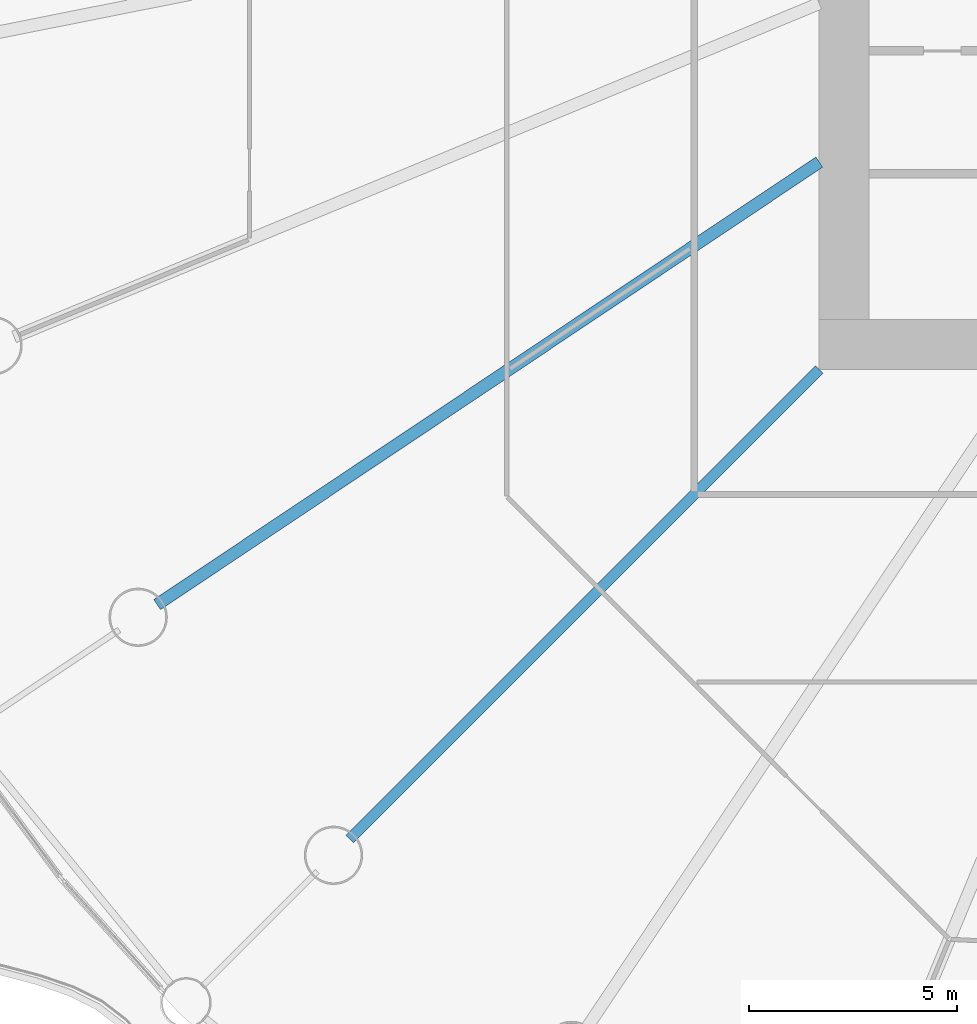
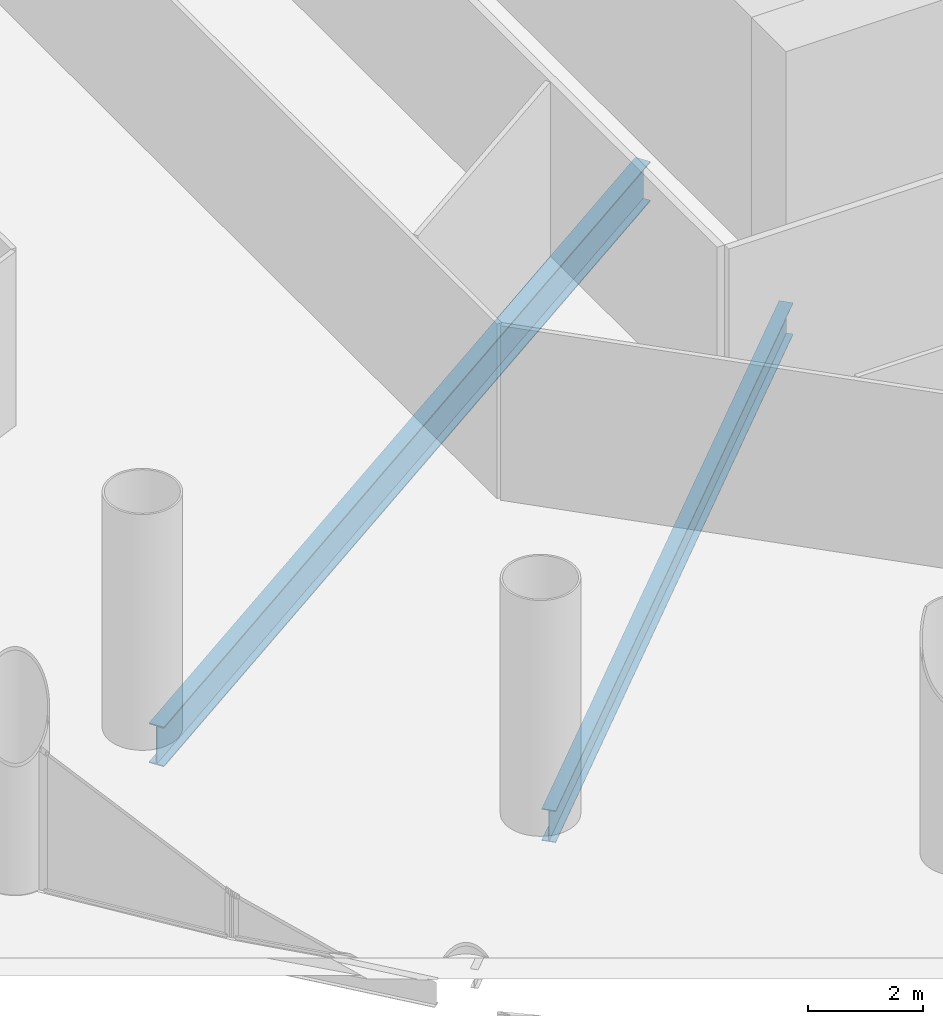
# One storey, part 4 of 35: 2 beams.
"""IFC4 building model written with IfcOpenShell, lengths in metres."""

from ifc_helpers import new_model, si_unit, direction, frame, origin, origin_2d, place, context, subcontext, project, spatial, i_section, extrude, material, material_profile, profile_set, type_object, element, save


model = new_model("IFC4")

# Units and contexts
model_context = context("Model", 3, precision=1e-05, world=origin(), true_north=direction((0.0, 1.0)))
body_context = subcontext(model_context, "Body", "Model", "MODEL_VIEW")
ifc_project = project(units=[si_unit("LENGTHUNIT", "METRE"), si_unit("AREAUNIT", "SQUARE_METRE"), si_unit("VOLUMEUNIT", "CUBIC_METRE"), si_unit("PLANEANGLEUNIT", "RADIAN"), si_unit("MASSUNIT", "GRAM", prefix="KILO")], contexts=[model_context])

# Site, building, storey
site_placement = place(None, origin())
site = spatial("IfcSite", under=ifc_project, at=site_placement, CompositionType="ELEMENT")
building_placement = place(site_placement, origin())
building = spatial("IfcBuilding", under=site, at=building_placement, Name="Corvane Civic Tower", CompositionType="ELEMENT")
storey_placement = place(building_placement, frame((0.0, 0.0, 27.0)))
storey = spatial("IfcBuildingStorey", under=building, at=storey_placement, Name="L05", CompositionType="ELEMENT", Elevation=27.0)

# Beams
ifc_material_1 = material(Name="Steel ASTM A992 Gr 50", Category="steel")
ifc_material_profile_1 = material_profile(ifc_material_1, i_section(OverallWidth=0.25390625, OverallDepth=0.67822265625, WebThickness=0.01171875, FlangeThickness=0.016357421875, at=origin_2d()), Name="W27X84")
ifc_profile_set_1 = profile_set([ifc_material_profile_1], Name="Steel ASTM A992 Gr 50")
beam_type_1 = type_object("IfcBeamType", Name="FLOOR GIRDER W27X84", PredefinedType="BEAM", material=ifc_profile_set_1)
beam_1_placement = place(storey_placement, frame((-15.0, -15.0, -0.63916015625), z_axis=(-0.707106781187, -0.707106781187, 0.0), x_axis=(0.707106781187, -0.707106781187, 0.0)))
element("IfcBeam", 1, at=beam_1_placement, inside=storey, type_object=beam_type_1, Name="BM-L05-G21", PredefinedType="BEAM", context=body_context, shape_type="SweptSolid", body=[
    extrude(i_section(OverallWidth=0.25390625, OverallDepth=0.67822265625, WebThickness=0.01171875, FlangeThickness=0.016357421875, at=origin_2d()), origin(), (0.0, 0.0, 1.0), 15.936767578125),
])
ifc_material_2 = material(Name="Steel ASTM A992 Gr 50", Category="steel")
ifc_material_profile_2 = material_profile(ifc_material_2, i_section(OverallWidth=0.2919921875, OverallDepth=0.845703125, WebThickness=0.015380859375, FlangeThickness=0.0244140625, at=origin_2d()), Name="W33X141")
ifc_profile_set_2 = profile_set([ifc_material_profile_2], Name="Steel ASTM A992 Gr 50")
beam_type_2 = type_object("IfcBeamType", Name="FLOOR GIRDER W33X141", PredefinedType="BEAM", material=ifc_profile_set_2)
beam_2_placement = place(storey_placement, frame((-15.0, -10.022705078125, -0.722900390625), z_axis=(-0.831471985418, -0.555566681385, 0.0), x_axis=(0.555566681385, -0.831471985418, 0.0)))
element("IfcBeam", 2, at=beam_2_placement, inside=storey, type_object=beam_type_2, Name="BM-L05-G22", PredefinedType="BEAM", context=body_context, shape_type="SweptSolid", body=[
    extrude(i_section(OverallWidth=0.2919921875, OverallDepth=0.845703125, WebThickness=0.015380859375, FlangeThickness=0.0244140625, at=origin_2d()), origin(), (0.0, 0.0, 1.0), 19.109619140625),
])

save(model, "model.ifc")
